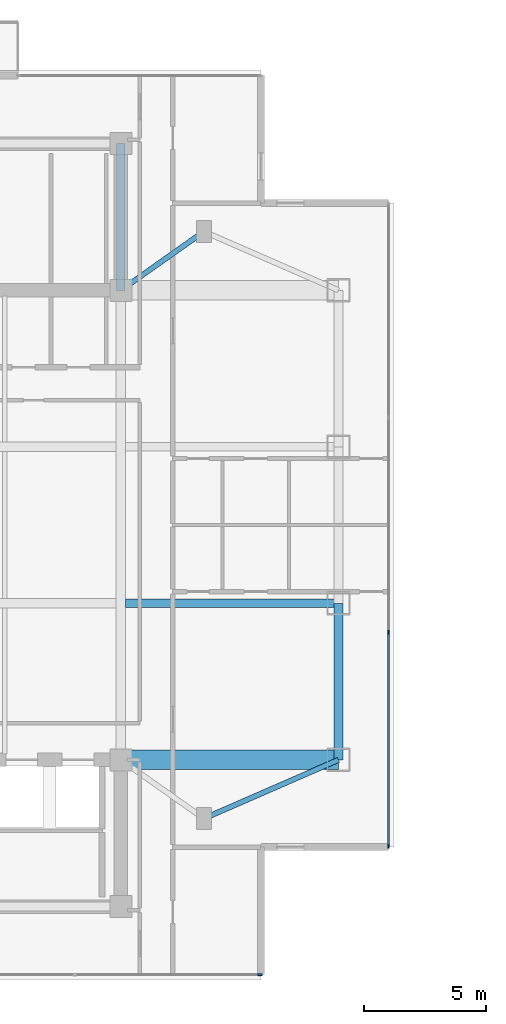
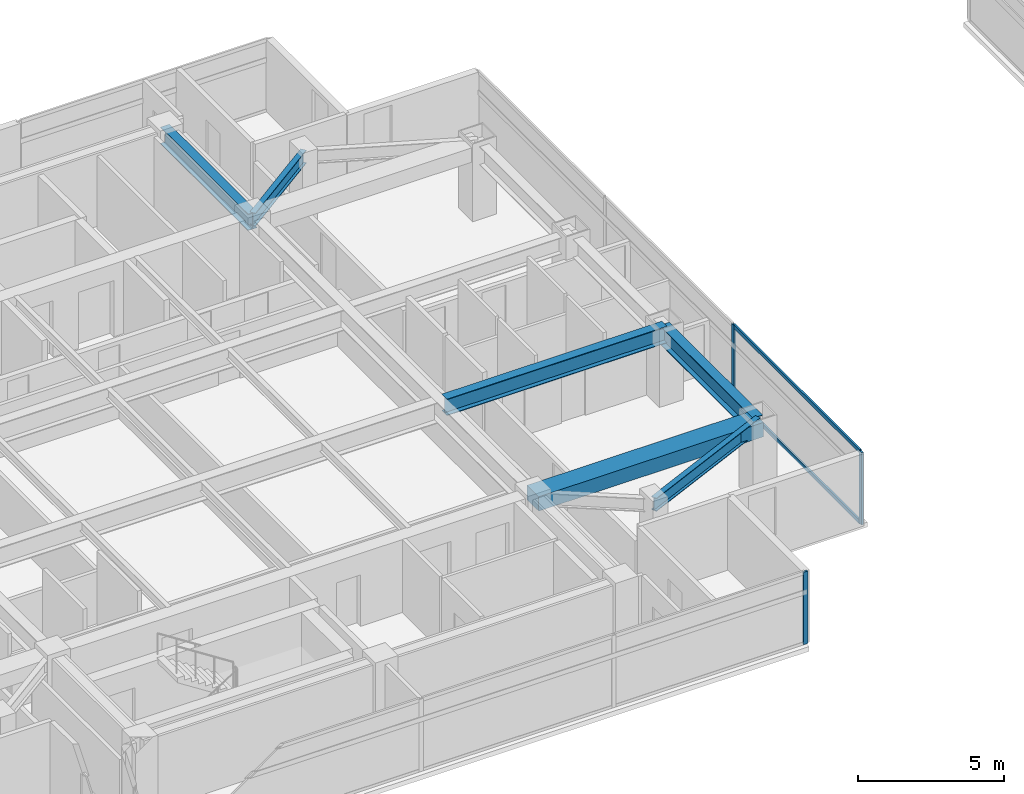
# One storey, part 4 of 24: 6 beams, 5 members, 2 elements without a shape of their own.
"""IFC4 building model written with IfcOpenShell, lengths in metres."""

from ifc_helpers import new_model, si_unit, direction, frame, origin, origin_2d, place, context, subcontext, project, spatial, rectangle, i_section, extrude, material, material_profile, profile_set, type_object, element, aggregate, save


model = new_model("IFC4")

# Units and contexts
model_context = context("Model", 3, precision=1e-05, world=origin(), true_north=direction((0.0, 1.0)))
body_context = subcontext(model_context, "Body", "Model", "MODEL_VIEW")
ifc_project = project(units=[si_unit("LENGTHUNIT", "METRE"), si_unit("AREAUNIT", "SQUARE_METRE"), si_unit("VOLUMEUNIT", "CUBIC_METRE"), si_unit("PLANEANGLEUNIT", "RADIAN"), si_unit("MASSUNIT", "GRAM", prefix="KILO")], contexts=[model_context])

# Site, building, storey
site_placement = place(None, origin())
site = spatial("IfcSite", under=ifc_project, at=site_placement, CompositionType="ELEMENT")
building_placement = place(site_placement, origin())
building = spatial("IfcBuilding", under=site, at=building_placement, Name="Mirazonda Arch Towers", CompositionType="ELEMENT")
storey_placement = place(building_placement, frame((0.0, 0.0, 196.64990234375)))
storey = spatial("IfcBuildingStorey", under=building, at=storey_placement, Name="L56", CompositionType="ELEMENT", Elevation=196.64990234375)

# Beams
ifc_material_1 = material(Name="Steel ASTM A992 Grade 50", Category="steel")
ifc_material_profile_1 = material_profile(ifc_material_1, i_section(OverallWidth=0.381103515625, OverallDepth=0.77294921875, WebThickness=0.0166015625, FlangeThickness=0.027099609375, at=origin_2d()), Name="W30X173")
ifc_profile_set_1 = profile_set([ifc_material_profile_1], Name="Steel ASTM A992 Grade 50")
beam_type_1 = type_object("IfcBeamType", Name="BM-EXT-W30X173", PredefinedType="USERDEFINED", material=ifc_profile_set_1)
beam_1_placement = place(storey_placement, frame((38.89990234375, 18.39990234375, 2.66357421875), z_axis=(0.0, 1.0, 0.0), x_axis=(-1.0, 0.0, 0.0)))
element("IfcBeam", 1, at=beam_1_placement, inside=storey, type_object=beam_type_1, Name="L56 Floor Beam BM-T1-L56-NS-E-18", ObjectType="GIRDER", PredefinedType="USERDEFINED", context=body_context, shape_type="SweptSolid", body=[
    extrude(i_section(OverallWidth=0.381103515625, OverallDepth=0.77294921875, WebThickness=0.0166015625, FlangeThickness=0.027099609375, at=origin_2d()), origin(), (0.0, 0.0, 1.0), 6.400146484375),
])
ifc_material_profile_2 = material_profile(ifc_material_1, i_section(OverallWidth=0.214111328125, OverallDepth=0.549072265625, WebThickness=0.0146484375, FlangeThickness=0.023681640625, at=origin_2d()), Name="W21X93")
ifc_profile_set_2 = profile_set([ifc_material_profile_2], Name="Steel ASTM A992 Grade 50")
beam_type_2 = type_object("IfcBeamType", Name="BM-INT-W21X93", PredefinedType="BEAM", material=ifc_profile_set_2)
beam_2_placement = place(storey_placement, frame((33.39990234375, 16.0, 2.775634765625), z_axis=(0.916545343703, 0.399930785183, 0.0), x_axis=(-0.399930785183, 0.916545343703, 0.0)))
element("IfcBeam", 2, at=beam_2_placement, inside=storey, type_object=beam_type_2, Name="L56 Floor Beam BM-T1-L56-PL-SE2", PredefinedType="BEAM", context=body_context, shape_type="SweptSolid", body=[
    extrude(i_section(OverallWidth=0.214111328125, OverallDepth=0.549072265625, WebThickness=0.0146484375, FlangeThickness=0.023681640625, at=origin_2d()), origin(), (0.0, 0.0, 1.0), 6.000732421875),
])
beam_3_placement = place(storey_placement, frame((33.39990234375, 40.0, 2.775634765625), z_axis=(-0.816971114901, -0.576678591087, 0.0), x_axis=(0.576678591087, -0.816971114901, 0.0)))
element("IfcBeam", 3, at=beam_3_placement, inside=storey, type_object=beam_type_2, Name="L56 Floor Beam BM-T1-L56-PL-NE1", PredefinedType="BEAM", context=body_context, shape_type="SweptSolid", body=[
    extrude(i_section(OverallWidth=0.214111328125, OverallDepth=0.549072265625, WebThickness=0.0146484375, FlangeThickness=0.023681640625, at=origin_2d()), origin(), (0.0, 0.0, 1.0), 4.16162109375),
])
ifc_material_profile_3 = material_profile(ifc_material_1, i_section(OverallWidth=0.35498046875, OverallDepth=0.696044921875, WebThickness=0.015380859375, FlangeThickness=0.02490234375, at=origin_2d()), Name="W27X146")
ifc_profile_set_3 = profile_set([ifc_material_profile_3], Name="Steel ASTM A992 Grade 50")
beam_type_3 = type_object("IfcBeamType", Name="BM-INT-W27X146", PredefinedType="BEAM", material=ifc_profile_set_3)
beam_4_placement = place(storey_placement, frame((30.199951171875, 24.800048828125, 2.7021484375), z_axis=(1.0, 0.0, 0.0), x_axis=(0.0, 1.0, 0.0)))
element("IfcBeam", 4, at=beam_4_placement, inside=storey, type_object=beam_type_3, Name="L56 Floor Beam BM-T1-L56-GE2", PredefinedType="BEAM", context=body_context, shape_type="SweptSolid", body=[
    extrude(i_section(OverallWidth=0.35498046875, OverallDepth=0.696044921875, WebThickness=0.015380859375, FlangeThickness=0.02490234375, at=origin_2d()), origin(), (0.0, 0.0, 1.0), 8.699951171875),
])
beam_5_placement = place(storey_placement, frame((30.0, 37.60009765625, 2.7021484375), z_axis=(0.0, 1.0, 0.0), x_axis=(-1.0, 0.0, 0.0)))
element("IfcBeam", 5, at=beam_5_placement, inside=storey, type_object=beam_type_3, Name="L56 Floor Beam BM-T1-L56-CNE", PredefinedType="BEAM", context=body_context, shape_type="SweptSolid", body=[
    extrude(i_section(OverallWidth=0.35498046875, OverallDepth=0.696044921875, WebThickness=0.015380859375, FlangeThickness=0.02490234375, at=origin_2d()), origin(), (0.0, 0.0, 1.0), 6.0),
])
ifc_material_2 = material(Name="Concrete C60/75", Category="concrete")
ifc_material_profile_4 = material_profile(ifc_material_2, rectangle(XDim=0.800048828125, YDim=0.60009765625, at=origin_2d()), Name="RCCB800x600")
ifc_profile_set_4 = profile_set([ifc_material_profile_4], Name="Concrete C60/75")
beam_type_4 = type_object("IfcBeamType", Name="CB-INT-RCCB800x600", PredefinedType="SPANDREL", material=ifc_profile_set_4)
beam_6_placement = place(storey_placement, frame((30.0, 18.39990234375, 2.75), z_axis=(1.0, 0.0, 0.0), x_axis=(0.0, 1.0, 0.0)))
element("IfcBeam", 6, at=beam_6_placement, inside=storey, type_object=beam_type_4, Name="L56 Floor Beam CBC-T1-L56-SE", PredefinedType="SPANDREL", context=body_context, shape_type="SweptSolid", body=[
    extrude(rectangle(XDim=0.800048828125, YDim=0.60009765625, at=origin_2d()), origin(), (0.0, 0.0, 1.0), 8.89990234375),
])

# Curtain wall, member
ifc_material_3 = material(Name="Anodised Aluminium and Low-E Glass", Category="aluminium")
curtain_wall_type = type_object("IfcCurtainWallType", Name="CW-RES-UNIT", PredefinedType="NOTDEFINED", material=ifc_material_3)
curtain_wall_1_placement = place(storey_placement, origin())
curtain_wall_1 = element("IfcCurtainWall", 7, at=curtain_wall_1_placement, inside=storey, type_object=curtain_wall_type, Name="L56 T1 S Facade CW-L56-T1-S", PredefinedType="NOTDEFINED")
ifc_material_4 = material(Name="Anodised Aluminium Alloy", Category="aluminium")
ifc_material_profile_5 = material_profile(ifc_material_4, rectangle(XDim=0.074951171875, YDim=0.175048828125, at=origin_2d()), Name="ALU-MULL-75x175")
ifc_profile_set_5 = profile_set([ifc_material_profile_5], Name="Anodised Aluminium Alloy")
member_type_1 = type_object("IfcMemberType", Name="MULL-CW-RES-UNIT", PredefinedType="MULLION", material=ifc_profile_set_5)
member_1_placement = place(storey_placement, frame((35.697509765625, 9.617919921875, 0.0), z_axis=(0.0, 0.0, 1.0), x_axis=(0.0, -1.0, 0.0)))
member_1 = element("IfcMember", 8, at=member_1_placement, type_object=member_type_1, Name="CW-104 mullion 1", PredefinedType="MULLION", context=body_context, shape_type="SweptSolid", body=[
    extrude(rectangle(XDim=0.074951171875, YDim=0.175048828125, at=origin_2d()), origin(), (0.0, 0.0, 1.0), 3.030029296875),
])
aggregate(curtain_wall_1, [member_1])

# Curtain wall, members
curtain_wall_2_placement = place(storey_placement, origin())
curtain_wall_2 = element("IfcCurtainWall", 9, at=curtain_wall_2_placement, inside=storey, type_object=curtain_wall_type, Name="L56 T1 E Facade CW-L56-T1-E", PredefinedType="NOTDEFINED")
member_2_placement = place(storey_placement, frame((40.949951171875, 14.87060546875, 0.0), z_axis=(0.0, 0.0, 1.0), x_axis=(-1.0, 0.0, 0.0)))
member_2 = element("IfcMember", 10, at=member_2_placement, type_object=member_type_1, Name="CW-104 mullion 1", PredefinedType="MULLION", context=body_context, shape_type="SweptSolid", body=[
    extrude(rectangle(XDim=0.074951171875, YDim=0.175048828125, at=origin_2d()), origin(), (0.0, 0.0, 1.0), 3.030029296875),
])
member_3_placement = place(storey_placement, frame((40.949951171875, 23.611083984375, 0.0), z_axis=(0.0, 0.0, 1.0), x_axis=(-1.0, 0.0, 0.0)))
member_3 = element("IfcMember", 11, at=member_3_placement, type_object=member_type_1, Name="CW-104 mullion 2", PredefinedType="MULLION", context=body_context, shape_type="SweptSolid", body=[
    extrude(rectangle(XDim=0.074951171875, YDim=0.175048828125, at=origin_2d()), origin(), (0.0, 0.0, 1.0), 3.030029296875),
])
ifc_material_profile_6 = material_profile(ifc_material_4, rectangle(XDim=0.074951171875, YDim=0.155029296875, at=origin_2d()), Name="ALU-TRAN-75x155")
ifc_profile_set_6 = profile_set([ifc_material_profile_6], Name="Anodised Aluminium Alloy")
member_type_2 = type_object("IfcMemberType", Name="TRAN-CW-RES-UNIT", PredefinedType="USERDEFINED", material=ifc_profile_set_6)
member_4_placement = place(storey_placement, frame((40.949951171875, 14.907958984375, 0.03759765625), z_axis=(0.0, 1.0, 0.0), x_axis=(-1.0, 0.0, 0.0)))
member_4 = element("IfcMember", 12, at=member_4_placement, type_object=member_type_2, Name="CW-104 transom 1.1", ObjectType="TRANSOM", PredefinedType="USERDEFINED", context=body_context, shape_type="SweptSolid", body=[
    extrude(rectangle(XDim=0.074951171875, YDim=0.155029296875, at=origin_2d()), origin(), (0.0, 0.0, 1.0), 8.66552734375),
])
member_5_placement = place(storey_placement, frame((40.949951171875, 14.907958984375, 2.99267578125), z_axis=(0.0, 1.0, 0.0), x_axis=(-1.0, 0.0, 0.0)))
member_5 = element("IfcMember", 13, at=member_5_placement, type_object=member_type_2, Name="CW-104 transom 1.2", ObjectType="TRANSOM", PredefinedType="USERDEFINED", context=body_context, shape_type="SweptSolid", body=[
    extrude(rectangle(XDim=0.074951171875, YDim=0.155029296875, at=origin_2d()), origin(), (0.0, 0.0, 1.0), 8.66552734375),
])
aggregate(curtain_wall_2, [member_2, member_3, member_4, member_5])

save(model, "model.ifc")
